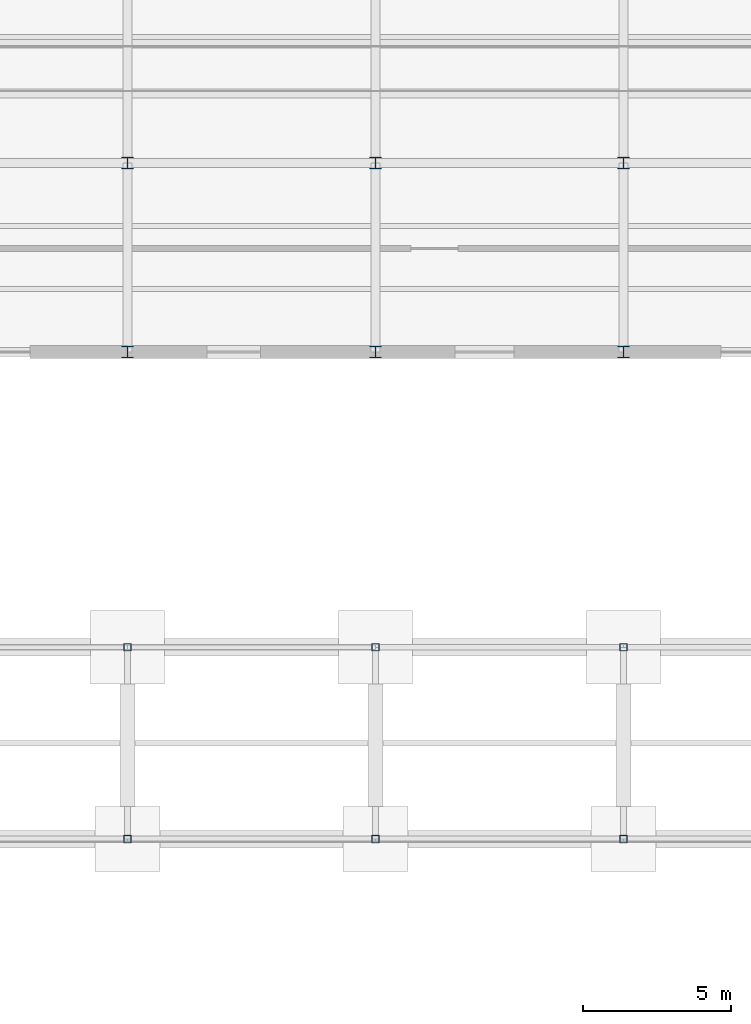
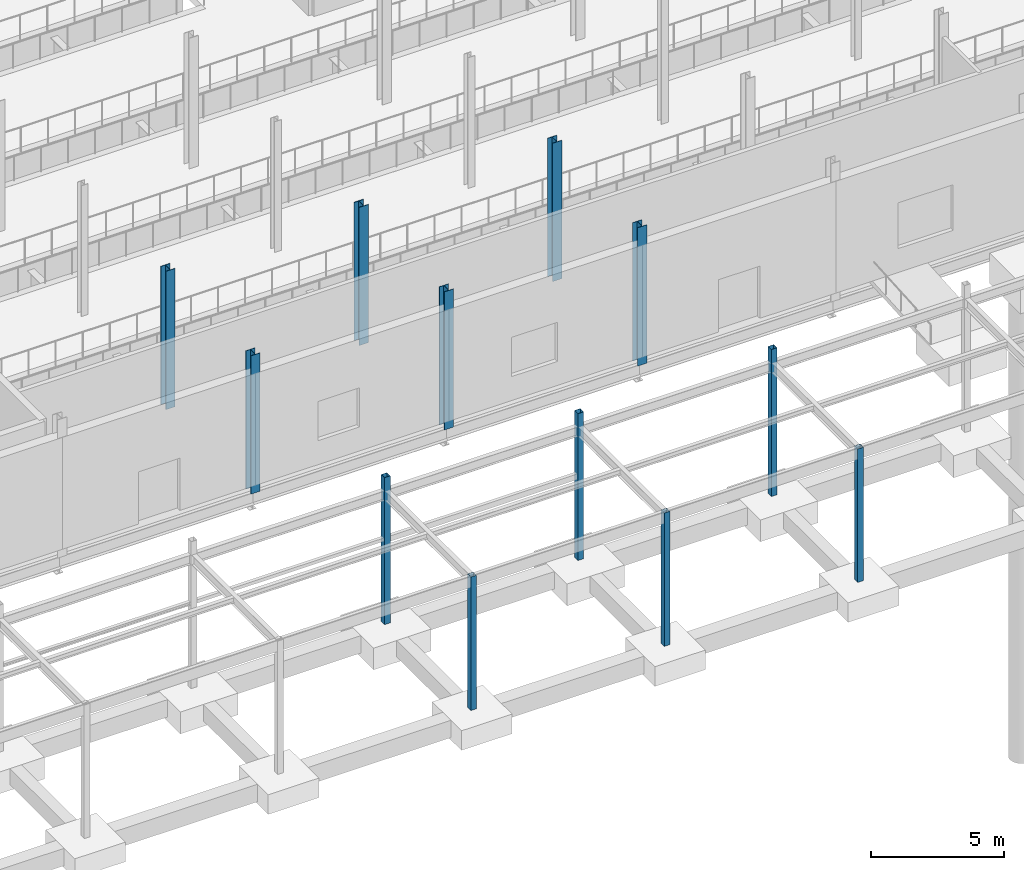
# One storey, part 16 of 139: 12 columns.
"""IFC4 building model written with IfcOpenShell, lengths in metres."""

import ifcopenshell
import ifcopenshell.guid

model = None  # the IFC model being written
_history = None  # IfcOwnerHistory: only IFC2X3 demands one
_inside = {}  # id of a spatial element -> (the spatial element, [elements in it])
_under = {}  # id of a project, library or spatial element -> (it, [spatial elements below it])
_declared = {}  # id of a project -> (the project, [libraries it declares])
_typed = {}  # id of a type object -> (the type object, [elements of that type])
_made_of = {}  # id of a material, layer set ... -> (it, [elements and type objects made of it])


def new_model(schema):
    """Start an empty IFC model of exactly this schema.

    Asked for "IFC4X3", IfcOpenShell would pick the latest addendum, in which some entities
    have other attributes; the version numbers below select the first issue.
    IFC2X3 requires an IfcOwnerHistory on every rooted entity: one is made here for all.
    """
    global model, _history
    if schema == "IFC4X3":
        model = ifcopenshell.file(schema_version=(4, 3, 0, 0))
    else:
        model = ifcopenshell.file(schema=schema)
    _inside.clear()
    _under.clear()
    _declared.clear()
    _typed.clear()
    _made_of.clear()
    _history = None
    if model.schema == "IFC2X3":
        org = make("IfcOrganization", Name="unknown")
        user = make(
            "IfcPersonAndOrganization",
            ThePerson=make("IfcPerson", FamilyName="unknown"),
            TheOrganization=org,
        )
        app = make(
            "IfcApplication",
            ApplicationDeveloper=org,
            Version="unknown",
            ApplicationFullName="unknown",
            ApplicationIdentifier="unknown",
        )
        _history = make(
            "IfcOwnerHistory",
            OwningUser=user,
            OwningApplication=app,
            ChangeAction="ADDED",
            CreationDate=0,
        )
    return model


def make(cls, **values):
    """One entity of the class cls with the attributes given. An attribute that is None is left unset."""
    return model.create_entity(
        cls, **{name: value for name, value in values.items() if value is not None}
    )


def rooted(cls, **values):
    """An entity with a GlobalId (a new one), such as an element, a storey or a relation."""
    return make(cls, GlobalId=ifcopenshell.guid.new(), OwnerHistory=_history, **values)


def si_unit(unit_type, name, prefix=None):
    """IfcSIUnit, for example si_unit("LENGTHUNIT", "METRE", prefix="MILLI")."""
    return make("IfcSIUnit", UnitType=unit_type, Prefix=prefix, Name=name)


def assignment(units):
    """IfcUnitAssignment: the units of a project."""
    return None if units is None else make("IfcUnitAssignment", Units=units)


def point(xyz):
    """IfcCartesianPoint."""
    return None if xyz is None else make("IfcCartesianPoint", Coordinates=xyz)


def direction(xyz):
    """IfcDirection."""
    return None if xyz is None else make("IfcDirection", DirectionRatios=xyz)


def frame(location, z_axis=None, x_axis=None):
    """IfcAxis2Placement3D, a coordinate frame: its origin and axes. An axis left out is left unset."""
    return make(
        "IfcAxis2Placement3D",
        Location=point(location),
        Axis=direction(z_axis),
        RefDirection=direction(x_axis),
    )


def frame_2d(location, x_axis=None):
    """IfcAxis2Placement2D, a coordinate frame in the plane: its origin and x axis."""
    return make(
        "IfcAxis2Placement2D", Location=point(location), RefDirection=direction(x_axis)
    )


def origin():
    """The frame at (0, 0, 0) with its axes left unset."""
    return frame((0.0, 0.0, 0.0))


def origin_2d():
    """The frame at (0, 0) in the plane with its x axis left unset."""
    return frame_2d((0.0, 0.0))


def place(relative_to, where):
    """IfcLocalPlacement: puts the frame where relative to a parent placement (None: the world)."""
    return make(
        "IfcLocalPlacement", PlacementRelTo=relative_to, RelativePlacement=where
    )


def context(
    kind, dimensions, precision=None, world=None, true_north=None, identifier=None
):
    """IfcGeometricRepresentationContext, for example the 3D "Model" context."""
    return make(
        "IfcGeometricRepresentationContext",
        ContextIdentifier=identifier,
        ContextType=kind,
        CoordinateSpaceDimension=dimensions,
        Precision=precision,
        WorldCoordinateSystem=world,
        TrueNorth=true_north,
    )


def subcontext(parent, identifier, kind, view, scale=None):
    """IfcGeometricRepresentationSubContext, for example "Body" below "Model"."""
    return make(
        "IfcGeometricRepresentationSubContext",
        ContextIdentifier=identifier,
        ContextType=kind,
        ParentContext=parent,
        TargetScale=scale,
        TargetView=view,
    )


def project(units=None, contexts=None):
    """IfcProject with its units and contexts."""
    return rooted(
        "IfcProject",
        Name="project",
        RepresentationContexts=contexts,
        UnitsInContext=assignment(units),
    )


def spatial(cls, under=None, at=None, **own):
    """A site, building, storey or space (cls), placed at a placement, below another one or the project."""
    s = rooted(cls, ObjectPlacement=at, **own)
    if under is not None:
        _under.setdefault(under.id(), (under, []))[1].append(s)
    return s


def profile(cls, at=None, kind="AREA", **sizes):
    """A parametric profile (cls). Its sizes go by their IFC names, for example OverallWidth=200.0."""
    return make(cls, ProfileType=kind, Position=at, **sizes)


def hollow_rectangle(**sizes):
    """IfcRectangleHollowProfileDef."""
    return profile("IfcRectangleHollowProfileDef", **sizes)


def i_section(**sizes):
    """IfcIShapeProfileDef."""
    return profile("IfcIShapeProfileDef", **sizes)


def extrude(swept, where, along, depth):
    """IfcExtrudedAreaSolid: the profile swept, set in the frame where, extruded along a direction by depth."""
    return make(
        "IfcExtrudedAreaSolid",
        SweptArea=swept,
        Position=where,
        ExtrudedDirection=direction(along),
        Depth=depth,
    )


def shape(context_of_items, identifier, shape_type, items):
    """IfcShapeRepresentation: the items that make up one representation, for example the "Body"."""
    return make(
        "IfcShapeRepresentation",
        ContextOfItems=context_of_items,
        RepresentationIdentifier=identifier,
        RepresentationType=shape_type,
        Items=items,
    )


def material(Name=None, Category=None):
    """IfcMaterial."""
    return make("IfcMaterial", Name=Name, Category=Category)


def material_profile(
    of_material, cross_section, Name=None, Category=None, Priority=None
):
    """IfcMaterialProfile: a cross section and its material."""
    return make(
        "IfcMaterialProfile",
        Name=Name,
        Material=of_material,
        Profile=cross_section,
        Priority=Priority,
        Category=Category,
    )


def profile_set(profiles, Name=None, composite=None):
    """IfcMaterialProfileSet."""
    return make(
        "IfcMaterialProfileSet",
        Name=Name,
        MaterialProfiles=profiles,
        CompositeProfile=composite,
    )


def made_of(thing, what):
    """Note that an element or type object is made of a material, layer set ...; save() writes the relation."""
    if what is not None:
        _made_of.setdefault(what.id(), (what, []))[1].append(thing)
    return thing


def type_object(cls, material=None, **own):
    """A type object (cls), such as IfcWallType, which elements share."""
    return made_of(rooted(cls, **own), material)


def element(
    cls,
    number,
    at=None,
    inside=None,
    cuts=None,
    type_object=None,
    material=None,
    context=None,
    identifier="Body",
    shape_type=None,
    held_by="IfcProductDefinitionShape",
    body=None,
    shapes=None,
    **own,
):
    """One element of the class cls, such as IfcWall. Its Tag is "e" and its number.

    at: its placement. inside: the storey or other place that contains it. cuts: it is an
    opening in that element (IfcRelVoidsElement). A single representation is given by context,
    identifier, shape_type and body (its items); several are given by shapes. held_by: the class
    of the entity that holds the representations. save() writes the other relations.
    """
    e = rooted(cls, Tag="e%d" % number, ObjectPlacement=at, **own)
    if body is not None:
        shapes = [shape(context, identifier, shape_type, body)]
    if shapes is not None:
        e.Representation = make(held_by, Representations=shapes)
    if inside is not None:
        _inside.setdefault(inside.id(), (inside, []))[1].append(e)
    if cuts is not None:
        rooted(
            "IfcRelVoidsElement", RelatingBuildingElement=cuts, RelatedOpeningElement=e
        )
    if type_object is not None:
        _typed.setdefault(type_object.id(), (type_object, []))[1].append(e)
    return made_of(e, material)


def aggregate(whole, parts):
    """IfcRelAggregates: a whole, such as a stair, and the parts it consists of."""
    return rooted("IfcRelAggregates", RelatingObject=whole, RelatedObjects=parts)


def save(model, path):
    """Write the relations noted so far, then the file.

    IfcRelAggregates (storeys below a building ...), IfcRelContainedInSpatialStructure (elements
    in a storey), IfcRelDefinesByType, IfcRelAssociatesMaterial and IfcRelDeclares: one each for
    every whole, place, type object, material and project.
    """
    for whole, parts in _under.values():
        aggregate(whole, parts)
    for where, things in _inside.values():
        rooted(
            "IfcRelContainedInSpatialStructure",
            RelatedElements=things,
            RelatingStructure=where,
        )
    for kind, things in _typed.values():
        rooted("IfcRelDefinesByType", RelatedObjects=things, RelatingType=kind)
    for what, things in _made_of.values():
        rooted("IfcRelAssociatesMaterial", RelatedObjects=things, RelatingMaterial=what)
    for by, libraries in _declared.values():
        rooted("IfcRelDeclares", RelatingContext=by, RelatedDefinitions=libraries)
    model.write(path)


model = new_model("IFC4")

# Units and contexts
model_context = context("Model", 3, precision=1e-05, world=origin(), true_north=direction((0.0, 1.0)))
body_context = subcontext(model_context, "Body", "Model", "MODEL_VIEW")
ifc_project = project(units=[si_unit("LENGTHUNIT", "METRE"), si_unit("AREAUNIT", "SQUARE_METRE"), si_unit("VOLUMEUNIT", "CUBIC_METRE"), si_unit("PLANEANGLEUNIT", "RADIAN"), si_unit("MASSUNIT", "GRAM", prefix="KILO")], contexts=[model_context])

# Site, building, storey
site_placement = place(None, origin())
site = spatial("IfcSite", under=ifc_project, at=site_placement, CompositionType="ELEMENT")
building_placement = place(site_placement, origin())
building = spatial("IfcBuilding", under=site, at=building_placement, Name="Kazenagashi Tramway Depot", CompositionType="ELEMENT")
storey_placement = place(building_placement, origin())
storey = spatial("IfcBuildingStorey", under=building, at=storey_placement, Name="L01", CompositionType="ELEMENT", Elevation=0.0)

# Columns
ifc_material_1 = material(Name="Steel SN490B", Category="steel")
ifc_material_profile_1 = material_profile(ifc_material_1, i_section(OverallWidth=0.4, OverallDepth=0.4, WebThickness=0.013, FlangeThickness=0.021, at=origin_2d()), Name="H-400x400x13x21")
ifc_profile_set_1 = profile_set([ifc_material_profile_1], Name="Steel SN490B")
column_type_1 = type_object("IfcColumnType", Name="C-03", PredefinedType="COLUMN", material=ifc_profile_set_1)
for number, where, z_axis, x_axis, name in (
    (1, (70.0, 16.5, -0.35), (0.0, 0.0, 1.0), (1.0, 0.0, 0.0), "Column C-03 COL-0195"),
    (2, (70.0, 22.9, -0.35), (0.0, 0.0, 1.0), (1.0, 0.0, 0.0), "Column C-03 COL-0199"),
    (3, (78.4, 16.5, -0.35), (0.0, 0.0, 1.0), (1.0, 0.0, 0.0), "Column C-03 COL-0212"),
    (4, (78.4, 22.9, -0.35), (0.0, 0.0, 1.0), (1.0, 0.0, 0.0), "Column C-03 COL-0216"),
    (5, (86.8, 16.5, -0.35), (0.0, 0.0, 1.0), (1.0, 0.0, 0.0), "Column C-03 COL-0229"),
    (6, (86.8, 22.9, -0.35), (0.0, 0.0, 1.0), (1.0, 0.0, 0.0), "Column C-03 COL-0233"),
):
    element("IfcColumn", number, at=place(storey_placement, frame(where, z_axis=z_axis, x_axis=x_axis)), inside=storey, type_object=column_type_1, Name=name, PredefinedType="COLUMN", context=body_context, shape_type="SweptSolid", body=[
        extrude(i_section(OverallWidth=0.4, OverallDepth=0.4, WebThickness=0.013, FlangeThickness=0.021, at=origin_2d()), origin(), (0.0, 0.0, 1.0), 6.35),
    ])
ifc_material_2 = material(Name="Weathering Steel SMA490W", Category="steel")
ifc_material_profile_2 = material_profile(ifc_material_2, hollow_rectangle(XDim=0.25, YDim=0.25, WallThickness=0.009, at=origin_2d()), Name="SHS-250x250x9")
ifc_profile_set_2 = profile_set([ifc_material_profile_2], Name="Weathering Steel SMA490W")
column_type_2 = type_object("IfcColumnType", Name="C-10", PredefinedType="COLUMN", material=ifc_profile_set_2)
column_1_placement = place(storey_placement, frame((70.0, 0.0, -0.35), z_axis=(0.0, 0.0, 1.0), x_axis=(1.0, 0.0, 0.0)))
element("IfcColumn", 7, at=column_1_placement, inside=storey, type_object=column_type_2, Name="Column C-10 COL-0854", PredefinedType="COLUMN", context=body_context, shape_type="SweptSolid", body=[
    extrude(hollow_rectangle(XDim=0.25, YDim=0.25, WallThickness=0.009, at=origin_2d()), origin(), (0.0, 0.0, 1.0), 6.125),
])
column_2_placement = place(storey_placement, frame((70.0, 6.5, -0.35), z_axis=(0.0, 0.0, 1.0), x_axis=(1.0, 0.0, 0.0)))
element("IfcColumn", 8, at=column_2_placement, inside=storey, type_object=column_type_2, Name="Column C-10 COL-0855", PredefinedType="COLUMN", context=body_context, shape_type="SweptSolid", body=[
    extrude(hollow_rectangle(XDim=0.25, YDim=0.25, WallThickness=0.009, at=origin_2d()), origin(), (0.0, 0.0, 1.0), 6.748),
])
column_3_placement = place(storey_placement, frame((78.4, 0.0, -0.35), z_axis=(0.0, 0.0, 1.0), x_axis=(1.0, 0.0, 0.0)))
element("IfcColumn", 9, at=column_3_placement, inside=storey, type_object=column_type_2, Name="Column C-10 COL-0856", PredefinedType="COLUMN", context=body_context, shape_type="SweptSolid", body=[
    extrude(hollow_rectangle(XDim=0.25, YDim=0.25, WallThickness=0.009, at=origin_2d()), origin(), (0.0, 0.0, 1.0), 6.125),
])
column_4_placement = place(storey_placement, frame((78.4, 6.5, -0.35), z_axis=(0.0, 0.0, 1.0), x_axis=(1.0, 0.0, 0.0)))
element("IfcColumn", 10, at=column_4_placement, inside=storey, type_object=column_type_2, Name="Column C-10 COL-0857", PredefinedType="COLUMN", context=body_context, shape_type="SweptSolid", body=[
    extrude(hollow_rectangle(XDim=0.25, YDim=0.25, WallThickness=0.009, at=origin_2d()), origin(), (0.0, 0.0, 1.0), 6.748),
])
column_5_placement = place(storey_placement, frame((86.8, 0.0, -0.35), z_axis=(0.0, 0.0, 1.0), x_axis=(1.0, 0.0, 0.0)))
element("IfcColumn", 11, at=column_5_placement, inside=storey, type_object=column_type_2, Name="Column C-10 COL-0858", PredefinedType="COLUMN", context=body_context, shape_type="SweptSolid", body=[
    extrude(hollow_rectangle(XDim=0.25, YDim=0.25, WallThickness=0.009, at=origin_2d()), origin(), (0.0, 0.0, 1.0), 6.125),
])
column_6_placement = place(storey_placement, frame((86.8, 6.5, -0.35), z_axis=(0.0, 0.0, 1.0), x_axis=(1.0, 0.0, 0.0)))
element("IfcColumn", 12, at=column_6_placement, inside=storey, type_object=column_type_2, Name="Column C-10 COL-0859", PredefinedType="COLUMN", context=body_context, shape_type="SweptSolid", body=[
    extrude(hollow_rectangle(XDim=0.25, YDim=0.25, WallThickness=0.009, at=origin_2d()), origin(), (0.0, 0.0, 1.0), 6.748),
])

save(model, "model.ifc")
